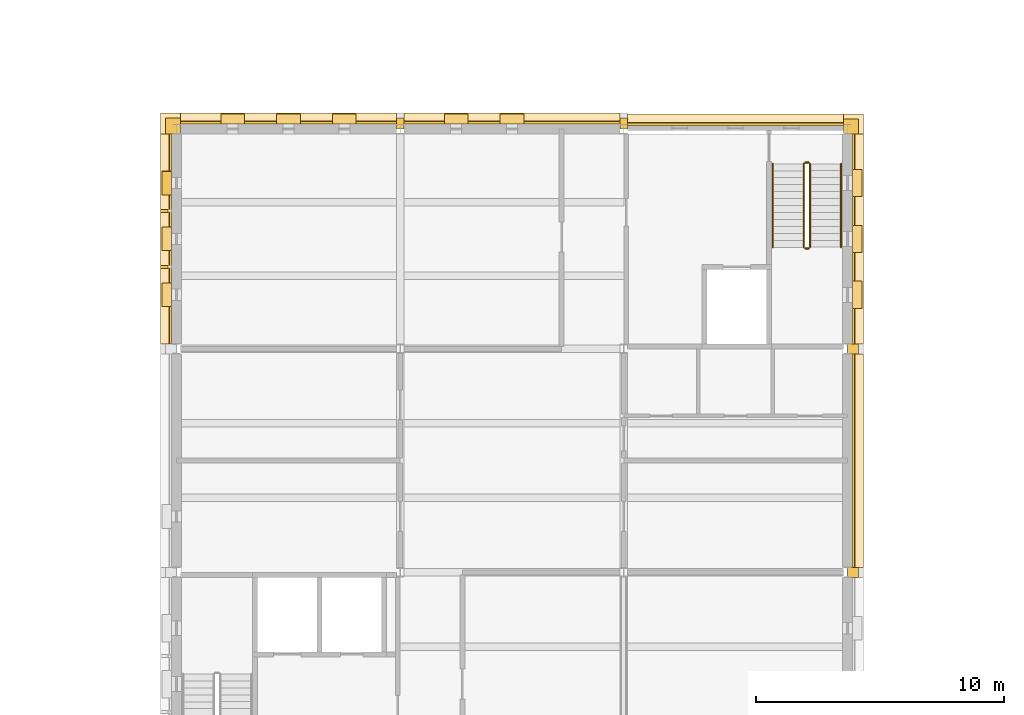
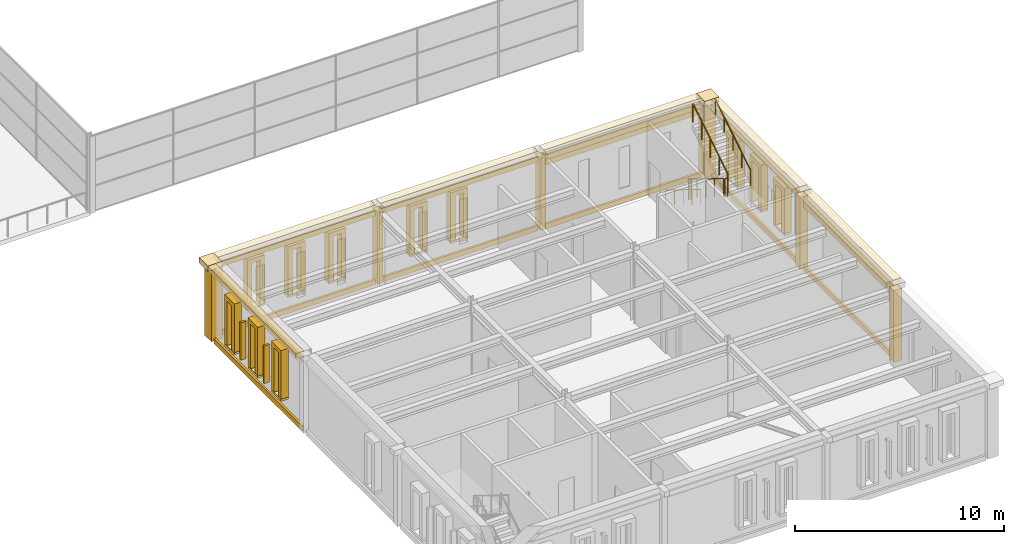
# One storey, part 64 of 70: 50 coverings, 6 railings, 2 shading devices.
"""IFC4 building model written with IfcOpenShell, lengths in metres."""

from ifc_helpers import new_model, si_unit, direction, frame, origin, origin_2d, place, context, subcontext, project, spatial, polyline, rectangle, circle, outline, extrude, material, layer, layer_set, type_object, element, save


model = new_model("IFC4")

# Units and contexts
model_context = context("Model", 3, precision=1e-05, world=origin(), true_north=direction((0.0, 1.0)))
body_context = subcontext(model_context, "Body", "Model", "MODEL_VIEW")
ifc_project = project(units=[si_unit("LENGTHUNIT", "METRE"), si_unit("AREAUNIT", "SQUARE_METRE"), si_unit("VOLUMEUNIT", "CUBIC_METRE"), si_unit("PLANEANGLEUNIT", "RADIAN"), si_unit("MASSUNIT", "GRAM", prefix="KILO")], contexts=[model_context])

# Site, building, storey
site_placement = place(None, origin())
site = spatial("IfcSite", under=ifc_project, at=site_placement, CompositionType="ELEMENT")
building_placement = place(site_placement, origin())
building = spatial("IfcBuilding", under=site, at=building_placement, Name="Kallimachos Central Library", CompositionType="ELEMENT")
storey_placement = place(building_placement, frame((0.0, 0.0, 18.89990234375)))
storey = spatial("IfcBuildingStorey", under=building, at=storey_placement, Name="L04", CompositionType="ELEMENT", Elevation=18.89990234375)

# Coverings
ifc_material_1 = material(Name="Glazed ceramic frieze, green")
ifc_layer_1 = layer(ifc_material_1, 0.10009765625)
ifc_layer_set_1 = layer_set([ifc_layer_1], Name="Glazed ceramic frieze, green")
covering_type_1 = type_object("IfcCoveringType", Name="Glazed ceramic frieze, green", PredefinedType="CLADDING", material=ifc_layer_set_1)
for number, where, z_axis, x_axis, name in (
    (1, (79.0, 45.10009765625, 3.8798828125), (0.0, 0.0, 1.0), (1.0, 0.0, 0.0), "Glazed ceramic frieze, green -L04-013"),
    (2, (88.0, 45.10009765625, 3.8798828125), (0.0, 0.0, 1.0), (1.0, 0.0, 0.0), "Glazed ceramic frieze, green -L04-014"),
    (3, (97.0, 45.050048828125, 3.8798828125), (0.0, 0.0, 1.0), (1.0, 0.0, 0.0), "Glazed ceramic frieze, green -L04-015"),
):
    element("IfcCovering", number, at=place(storey_placement, frame(where, z_axis=z_axis, x_axis=x_axis)), inside=storey, type_object=covering_type_1, Name=name, PredefinedType="CLADDING", context=body_context, shape_type="SweptSolid", body=[
        extrude(rectangle(XDim=8.699951171875, YDim=0.10009765625, at=origin_2d()), origin(), (0.0, 0.0, 1.0), 0.300048828125),
    ])
covering_1_placement = place(storey_placement, frame((74.25, 40.425048828125, 3.8798828125), z_axis=(0.0, 0.0, 1.0), x_axis=(1.0, 0.0, 0.0)))
element("IfcCovering", 4, at=covering_1_placement, inside=storey, type_object=covering_type_1, Name="Glazed ceramic frieze, green -L04-018", PredefinedType="CLADDING", context=body_context, shape_type="SweptSolid", body=[
    extrude(rectangle(XDim=0.10009765625, YDim=8.449951171875, at=origin_2d()), origin(), (0.0, 0.0, 1.0), 0.300048828125),
])
covering_2_placement = place(storey_placement, frame((101.75, 31.5, 3.8798828125), z_axis=(0.0, 0.0, 1.0), x_axis=(1.0, 0.0, 0.0)))
element("IfcCovering", 5, at=covering_2_placement, inside=storey, type_object=covering_type_1, Name="Glazed ceramic frieze, green -L04-020", PredefinedType="CLADDING", context=body_context, shape_type="SweptSolid", body=[
    extrude(rectangle(XDim=0.10009765625, YDim=8.60009765625, at=origin_2d()), origin(), (0.0, 0.0, 1.0), 0.300048828125),
])
covering_3_placement = place(storey_placement, frame((101.75, 40.425048828125, 3.8798828125), z_axis=(0.0, 0.0, 1.0), x_axis=(1.0, 0.0, 0.0)))
element("IfcCovering", 6, at=covering_3_placement, inside=storey, type_object=covering_type_1, Name="Glazed ceramic frieze, green -L04-021", PredefinedType="CLADDING", context=body_context, shape_type="SweptSolid", body=[
    extrude(rectangle(XDim=0.10009765625, YDim=8.449951171875, at=origin_2d()), origin(), (0.0, 0.0, 1.0), 0.300048828125),
])
ifc_material_2 = material(Name="Glazed ceramic frieze, ochre")
ifc_layer_2 = layer(ifc_material_2, 0.10009765625)
ifc_layer_set_2 = layer_set([ifc_layer_2], Name="Glazed ceramic frieze, ochre")
covering_type_2 = type_object("IfcCoveringType", Name="Glazed ceramic frieze, ochre", PredefinedType="CLADDING", material=ifc_layer_set_2)
covering_4_placement = place(storey_placement, frame((97.0, 45.050048828125, 3.580078125), z_axis=(0.0, 0.0, 1.0), x_axis=(1.0, 0.0, 0.0)))
element("IfcCovering", 7, at=covering_4_placement, inside=storey, type_object=covering_type_2, Name="Glazed ceramic frieze, ochre -L04-015", PredefinedType="CLADDING", context=body_context, shape_type="SweptSolid", body=[
    extrude(rectangle(XDim=8.699951171875, YDim=0.10009765625, at=origin_2d()), origin(), (0.0, 0.0, 1.0), 0.300048828125),
])
covering_5_placement = place(storey_placement, frame((101.75, 31.5, 3.580078125), z_axis=(0.0, 0.0, 1.0), x_axis=(1.0, 0.0, 0.0)))
element("IfcCovering", 8, at=covering_5_placement, inside=storey, type_object=covering_type_2, Name="Glazed ceramic frieze, ochre -L04-020", PredefinedType="CLADDING", context=body_context, shape_type="SweptSolid", body=[
    extrude(rectangle(XDim=0.10009765625, YDim=8.60009765625, at=origin_2d()), origin(), (0.0, 0.0, 1.0), 0.300048828125),
])

# Railings
ifc_material_3 = material(Name="Steel S355J2", Category="steel")
railing_type_1 = type_object("IfcRailingType", Name="Stair handrail 900", PredefinedType="HANDRAIL", material=ifc_material_3)
railing_1_placement = place(storey_placement, frame((98.5, 43.449951171875, 0.173095703125)))
element("IfcRailing", 9, at=railing_1_placement, inside=storey, type_object=railing_type_1, Name="L04 ST14 stair handrail 1", PredefinedType="HANDRAIL", context=body_context, shape_type="SweptSolid", body=[
    extrude(circle(Radius=0.02392578125, at=origin_2d()), frame((0.0, 0.0, 0.8759765625), z_axis=(0.0, -0.850606129759, 0.525803396734), x_axis=(1.0, 0.0, 0.0)), (0.0, 0.0, 1.0), 3.949951171875),
    extrude(circle(Radius=0.02099609375, at=origin_2d()), origin(), (0.0, 0.0, 1.0), 0.851806640625),
    extrude(circle(Radius=0.02099609375, at=origin_2d()), frame((0.0, -0.83984375, 0.519287109375)), (0.0, 0.0, 1.0), 0.851806640625),
    extrude(circle(Radius=0.02099609375, at=origin_2d()), frame((0.0, -1.679931640625, 1.03857421875)), (0.0, 0.0, 1.0), 0.851806640625),
    extrude(circle(Radius=0.02099609375, at=origin_2d()), frame((0.0, -2.52001953125, 1.5576171875)), (0.0, 0.0, 1.0), 0.851806640625),
    extrude(circle(Radius=0.02099609375, at=origin_2d()), frame((0.0, -3.35986328125, 2.076904296875)), (0.0, 0.0, 1.0), 0.851806640625),
])
railing_2_placement = place(storey_placement, frame((101.25, 40.090087890625, 2.423095703125)))
element("IfcRailing", 10, at=railing_2_placement, inside=storey, type_object=railing_type_1, Name="L04 ST14 stair handrail 2", PredefinedType="HANDRAIL", context=body_context, shape_type="SweptSolid", body=[
    extrude(circle(Radius=0.02392578125, at=origin_2d()), frame((0.0, 0.0, 0.8759765625), z_axis=(0.0, 0.850606129759, 0.525803396734), x_axis=(-1.0, 0.0, 0.0)), (0.0, 0.0, 1.0), 3.949951171875),
    extrude(circle(Radius=0.02099609375, at=origin_2d()), origin(), (0.0, 0.0, 1.0), 0.851806640625),
    extrude(circle(Radius=0.02099609375, at=origin_2d()), frame((0.0, 0.83984375, 0.519287109375)), (0.0, 0.0, 1.0), 0.851806640625),
    extrude(circle(Radius=0.02099609375, at=origin_2d()), frame((0.0, 1.679931640625, 1.03857421875)), (0.0, 0.0, 1.0), 0.851806640625),
    extrude(circle(Radius=0.02099609375, at=origin_2d()), frame((0.0, 2.52001953125, 1.5576171875)), (0.0, 0.0, 1.0), 0.851806640625),
    extrude(circle(Radius=0.02099609375, at=origin_2d()), frame((0.0, 3.35986328125, 2.076904296875)), (0.0, 0.0, 1.0), 0.851806640625),
])

# Coverings
ifc_material_4 = material(Name="Pentelic marble attic moulding", Category="masonry")
ifc_layer_3 = layer(ifc_material_4, 0.1201171875)
ifc_layer_set_3 = layer_set([ifc_layer_3], Name="Stone attic moulding 300")
covering_type_3 = type_object("IfcCoveringType", Name="Stone attic moulding 300", PredefinedType="MOLDING", material=ifc_layer_set_3)
for number, where, z_axis, x_axis, name in (
    (11, (79.0, 45.110107421875, -0.14990234375), (0.0, 0.0, 1.0), (1.0, 0.0, 0.0), "Stone attic moulding 300 -L04-013"),
    (12, (88.0, 45.110107421875, -0.14990234375), (0.0, 0.0, 1.0), (1.0, 0.0, 0.0), "Stone attic moulding 300 -L04-014"),
    (13, (97.0, 45.06005859375, -0.14990234375), (0.0, 0.0, 1.0), (1.0, 0.0, 0.0), "Stone attic moulding 300 -L04-015"),
):
    element("IfcCovering", number, at=place(storey_placement, frame(where, z_axis=z_axis, x_axis=x_axis)), inside=storey, type_object=covering_type_3, Name=name, PredefinedType="MOLDING", context=body_context, shape_type="SweptSolid", body=[
        extrude(rectangle(XDim=8.699951171875, YDim=0.1201171875, at=origin_2d()), origin(), (0.0, 0.0, 1.0), 0.300048828125),
    ])
covering_6_placement = place(storey_placement, frame((74.239990234375, 40.425048828125, -0.14990234375), z_axis=(0.0, 0.0, 1.0), x_axis=(1.0, 0.0, 0.0)))
element("IfcCovering", 14, at=covering_6_placement, inside=storey, type_object=covering_type_3, Name="Stone attic moulding 300 -L04-018", PredefinedType="MOLDING", context=body_context, shape_type="SweptSolid", body=[
    extrude(rectangle(XDim=0.1201171875, YDim=8.449951171875, at=origin_2d()), origin(), (0.0, 0.0, 1.0), 0.300048828125),
])
covering_7_placement = place(storey_placement, frame((101.760009765625, 31.5, -0.14990234375), z_axis=(0.0, 0.0, 1.0), x_axis=(1.0, 0.0, 0.0)))
element("IfcCovering", 15, at=covering_7_placement, inside=storey, type_object=covering_type_3, Name="Stone attic moulding 300 -L04-020", PredefinedType="MOLDING", context=body_context, shape_type="SweptSolid", body=[
    extrude(rectangle(XDim=0.1201171875, YDim=8.60009765625, at=origin_2d()), origin(), (0.0, 0.0, 1.0), 0.300048828125),
])
covering_8_placement = place(storey_placement, frame((101.760009765625, 40.425048828125, -0.14990234375), z_axis=(0.0, 0.0, 1.0), x_axis=(1.0, 0.0, 0.0)))
element("IfcCovering", 16, at=covering_8_placement, inside=storey, type_object=covering_type_3, Name="Stone attic moulding 300 -L04-021", PredefinedType="MOLDING", context=body_context, shape_type="SweptSolid", body=[
    extrude(rectangle(XDim=0.1201171875, YDim=8.449951171875, at=origin_2d()), origin(), (0.0, 0.0, 1.0), 0.300048828125),
])
ifc_material_5 = material(Name="Pentelic marble cornice", Category="masonry")
ifc_layer_4 = layer(ifc_material_5, 0.449951171875)
ifc_layer_set_4 = layer_set([ifc_layer_4], Name="Stone cornice 450")
covering_type_4 = type_object("IfcCoveringType", Name="Stone cornice 450", PredefinedType="MOLDING", material=ifc_layer_set_4)
for number, where, z_axis, x_axis, name in (
    (17, (79.0, 45.27490234375, 4.2001953125), (0.0, 0.0, 1.0), (1.0, 0.0, 0.0), "Stone cornice 450 -L04-013"),
    (18, (88.0, 45.27490234375, 4.2001953125), (0.0, 0.0, 1.0), (1.0, 0.0, 0.0), "Stone cornice 450 -L04-014"),
    (19, (97.0, 45.22509765625, 4.2001953125), (0.0, 0.0, 1.0), (1.0, 0.0, 0.0), "Stone cornice 450 -L04-015"),
):
    element("IfcCovering", number, at=place(storey_placement, frame(where, z_axis=z_axis, x_axis=x_axis)), inside=storey, type_object=covering_type_4, Name=name, PredefinedType="MOLDING", context=body_context, shape_type="SweptSolid", body=[
        extrude(rectangle(XDim=8.699951171875, YDim=0.449951171875, at=origin_2d()), origin(), (0.0, 0.0, 1.0), 0.300048828125),
    ])
covering_9_placement = place(storey_placement, frame((74.074951171875, 40.425048828125, 4.2001953125), z_axis=(0.0, 0.0, 1.0), x_axis=(1.0, 0.0, 0.0)))
element("IfcCovering", 20, at=covering_9_placement, inside=storey, type_object=covering_type_4, Name="Stone cornice 450 -L04-018", PredefinedType="MOLDING", context=body_context, shape_type="SweptSolid", body=[
    extrude(rectangle(XDim=0.449951171875, YDim=8.449951171875, at=origin_2d()), origin(), (0.0, 0.0, 1.0), 0.300048828125),
])
covering_10_placement = place(storey_placement, frame((101.925048828125, 31.5, 4.2001953125), z_axis=(0.0, 0.0, 1.0), x_axis=(1.0, 0.0, 0.0)))
element("IfcCovering", 21, at=covering_10_placement, inside=storey, type_object=covering_type_4, Name="Stone cornice 450 -L04-020", PredefinedType="MOLDING", context=body_context, shape_type="SweptSolid", body=[
    extrude(rectangle(XDim=0.449951171875, YDim=8.60009765625, at=origin_2d()), origin(), (0.0, 0.0, 1.0), 0.300048828125),
])
covering_11_placement = place(storey_placement, frame((101.925048828125, 40.425048828125, 4.2001953125), z_axis=(0.0, 0.0, 1.0), x_axis=(1.0, 0.0, 0.0)))
element("IfcCovering", 22, at=covering_11_placement, inside=storey, type_object=covering_type_4, Name="Stone cornice 450 -L04-021", PredefinedType="MOLDING", context=body_context, shape_type="SweptSolid", body=[
    extrude(rectangle(XDim=0.449951171875, YDim=8.449951171875, at=origin_2d()), origin(), (0.0, 0.0, 1.0), 0.300048828125),
])
covering_12_placement = place(storey_placement, frame((74.25, 45.074951171875, 4.2001953125), z_axis=(0.0, 0.0, 1.0), x_axis=(1.0, 0.0, 0.0)))
element("IfcCovering", 23, at=covering_12_placement, inside=storey, type_object=covering_type_4, Name="Stone cornice 450 corner", PredefinedType="MOLDING", context=body_context, shape_type="SweptSolid", body=[
    extrude(rectangle(XDim=0.800048828125, YDim=0.85009765625, at=origin_2d()), origin(), (0.0, 0.0, 1.0), 0.300048828125),
])
covering_13_placement = place(storey_placement, frame((101.75, 45.050048828125, 4.2001953125), z_axis=(0.0, 0.0, 1.0), x_axis=(1.0, 0.0, 0.0)))
element("IfcCovering", 24, at=covering_13_placement, inside=storey, type_object=covering_type_4, Name="Stone cornice 450 corner", PredefinedType="MOLDING", context=body_context, shape_type="SweptSolid", body=[
    extrude(rectangle(XDim=0.800048828125, YDim=0.800048828125, at=origin_2d()), origin(), (0.0, 0.0, 1.0), 0.300048828125),
])
ifc_material_6 = material(Name="Pentelic marble pilaster", Category="masonry")
ifc_layer_5 = layer(ifc_material_6, 0.25)
ifc_layer_set_5 = layer_set([ifc_layer_5], Name="Stone pilaster 250")
covering_type_5 = type_object("IfcCoveringType", Name="Stone pilaster 250", PredefinedType="CLADDING", material=ifc_layer_set_5)
for number, where, z_axis, x_axis, name in (
    (25, (83.5, 45.074951171875, 0.0), (0.0, 0.0, 1.0), (1.0, 0.0, 0.0), "Stone pilaster 250 -L04-013"),
    (26, (92.5, 45.074951171875, 0.0), (0.0, 0.0, 1.0), (1.0, 0.0, 0.0), "Stone pilaster 250 -L04-014"),
):
    element("IfcCovering", number, at=place(storey_placement, frame(where, z_axis=z_axis, x_axis=x_axis)), inside=storey, type_object=covering_type_5, Name=name, PredefinedType="CLADDING", context=body_context, shape_type="SweptSolid", body=[
        extrude(rectangle(XDim=0.300048828125, YDim=0.449951171875, at=origin_2d()), origin(), (0.0, 0.0, 1.0), 4.199951171875),
    ])
for number, where, z_axis, x_axis, name in (
    (27, (101.72509765625, 27.0, 0.0), (0.0, 0.0, 1.0), (1.0, 0.0, 0.0), "Stone pilaster 250 -L04-019"),
    (28, (101.72509765625, 36.0, 0.0), (0.0, 0.0, 1.0), (1.0, 0.0, 0.0), "Stone pilaster 250 -L04-020"),
):
    element("IfcCovering", number, at=place(storey_placement, frame(where, z_axis=z_axis, x_axis=x_axis)), inside=storey, type_object=covering_type_5, Name=name, PredefinedType="CLADDING", context=body_context, shape_type="SweptSolid", body=[
        extrude(rectangle(XDim=0.449951171875, YDim=0.39990234375, at=origin_2d()), origin(), (0.0, 0.0, 1.0), 4.199951171875),
    ])
covering_14_placement = place(storey_placement, frame((74.35009765625, 44.97509765625, 0.0), z_axis=(0.0, 0.0, 1.0), x_axis=(1.0, 0.0, 0.0)))
element("IfcCovering", 29, at=covering_14_placement, inside=storey, type_object=covering_type_5, Name="Stone pilaster 250 corner", PredefinedType="CLADDING", context=body_context, shape_type="SweptSolid", body=[
    extrude(rectangle(XDim=0.60009765625, YDim=0.64990234375, at=origin_2d()), origin(), (0.0, 0.0, 1.0), 4.199951171875),
])
covering_15_placement = place(storey_placement, frame((101.64990234375, 44.949951171875, 0.0), z_axis=(0.0, 0.0, 1.0), x_axis=(1.0, 0.0, 0.0)))
element("IfcCovering", 30, at=covering_15_placement, inside=storey, type_object=covering_type_5, Name="Stone pilaster 250 corner", PredefinedType="CLADDING", context=body_context, shape_type="SweptSolid", body=[
    extrude(rectangle(XDim=0.60009765625, YDim=0.60009765625, at=origin_2d()), origin(), (0.0, 0.0, 1.0), 4.199951171875),
])

# Shading devices
ifc_material_7 = material(Name="Pentelic marble fin", Category="masonry")
ifc_layer_6 = layer(ifc_material_7, 0.1201171875)
ifc_layer_set_6 = layer_set([ifc_layer_6], Name="Stone sun-shade fin 120")
shading_device_type = type_object("IfcShadingDeviceType", Name="Stone sun-shade fin 120", PredefinedType="USERDEFINED", material=ifc_layer_set_6)
for number, where, z_axis, x_axis, name in (
    (31, (74.0, 39.300048828125, 0.89990234375), (0.0, 0.0, 1.0), (1.0, 0.0, 0.0), "Stone sun-shade fin 120 -L04-018"),
    (32, (74.0, 41.550048828125, 0.89990234375), (0.0, 0.0, 1.0), (1.0, 0.0, 0.0), "Stone sun-shade fin 120 -L04-018"),
):
    element("IfcShadingDevice", number, at=place(storey_placement, frame(where, z_axis=z_axis, x_axis=x_axis)), inside=storey, type_object=shading_device_type, Name=name, ObjectType="FIN", PredefinedType="USERDEFINED", context=body_context, shape_type="SweptSolid", body=[
        extrude(rectangle(XDim=0.300048828125, YDim=0.1201171875, at=origin_2d()), origin(), (0.0, 0.0, 1.0), 2.199951171875),
    ])

# Coverings
ifc_material_8 = material(Name="Pentelic marble window sill", Category="masonry")
ifc_layer_7 = layer(ifc_material_8, 0.39990234375)
ifc_layer_set_7 = layer_set([ifc_layer_7], Name="Tower window sill block 400")
covering_type_6 = type_object("IfcCoveringType", Name="Tower window sill block 400", PredefinedType="MOLDING", material=ifc_layer_set_7)
for number, where, z_axis, x_axis, name in (
    (33, (76.75, 45.25, 0.780029296875), (0.0, 0.0, 1.0), (1.0, 0.0, 0.0), "Tower window sill block"),
    (34, (79.0, 45.25, 0.780029296875), (0.0, 0.0, 1.0), (1.0, 0.0, 0.0), "Tower window sill block"),
    (35, (81.25, 45.25, 0.780029296875), (0.0, 0.0, 1.0), (1.0, 0.0, 0.0), "Tower window sill block"),
    (36, (85.75, 45.25, 0.780029296875), (0.0, 0.0, 1.0), (1.0, 0.0, 0.0), "Tower window sill block"),
    (37, (88.0, 45.25, 0.780029296875), (0.0, 0.0, 1.0), (1.0, 0.0, 0.0), "Tower window sill block"),
):
    element("IfcCovering", number, at=place(storey_placement, frame(where, z_axis=z_axis, x_axis=x_axis)), inside=storey, type_object=covering_type_6, Name=name, PredefinedType="MOLDING", context=body_context, shape_type="SweptSolid", body=[
        extrude(rectangle(XDim=0.949951171875, YDim=0.39990234375, at=origin_2d()), origin(), (0.0, 0.0, 1.0), 0.1201171875),
    ])
for number, where, z_axis, x_axis, name in (
    (38, (74.10009765625, 38.175048828125, 0.780029296875), (0.0, 0.0, 1.0), (1.0, 0.0, 0.0), "Tower window sill block"),
    (39, (74.10009765625, 40.425048828125, 0.780029296875), (0.0, 0.0, 1.0), (1.0, 0.0, 0.0), "Tower window sill block"),
    (40, (74.10009765625, 42.675048828125, 0.780029296875), (0.0, 0.0, 1.0), (1.0, 0.0, 0.0), "Tower window sill block"),
):
    element("IfcCovering", number, at=place(storey_placement, frame(where, z_axis=z_axis, x_axis=x_axis)), inside=storey, type_object=covering_type_6, Name=name, PredefinedType="MOLDING", context=body_context, shape_type="SweptSolid", body=[
        extrude(rectangle(XDim=0.39990234375, YDim=0.949951171875, at=origin_2d()), origin(), (0.0, 0.0, 1.0), 0.1201171875),
    ])
for number, where, z_axis, x_axis, name in (
    (41, (101.89990234375, 38.175048828125, 0.780029296875), (0.0, 0.0, 1.0), (1.0, 0.0, 0.0), "Tower window sill block"),
    (42, (101.89990234375, 40.425048828125, 0.780029296875), (0.0, 0.0, 1.0), (1.0, 0.0, 0.0), "Tower window sill block"),
    (43, (101.89990234375, 42.675048828125, 0.780029296875), (0.0, 0.0, 1.0), (1.0, 0.0, 0.0), "Tower window sill block"),
):
    element("IfcCovering", number, at=place(storey_placement, frame(where, z_axis=z_axis, x_axis=x_axis)), inside=storey, type_object=covering_type_6, Name=name, PredefinedType="MOLDING", context=body_context, shape_type="SweptSolid", body=[
        extrude(rectangle(XDim=0.39990234375, YDim=1.10009765625, at=origin_2d()), origin(), (0.0, 0.0, 1.0), 0.1201171875),
    ])
ifc_material_9 = material(Name="Pentelic marble window surround", Category="masonry")
ifc_layer_8 = layer(ifc_material_9, 0.39990234375)
ifc_layer_set_8 = layer_set([ifc_layer_8], Name="Tower window surround 400")
covering_type_7 = type_object("IfcCoveringType", Name="Tower window surround 400", PredefinedType="MOLDING", material=ifc_layer_set_8)
for number, where, z_axis, x_axis, name in (
    (44, (76.27490234375, 45.449951171875, 0.900146484375), (0.0, 1.0, 0.0), (0.0, 0.0, 1.0), "Tower window surround -WIN-L04-009"),
    (45, (78.52490234375, 45.449951171875, 0.900146484375), (0.0, 1.0, 0.0), (0.0, 0.0, 1.0), "Tower window surround -WIN-L04-010"),
    (46, (80.77490234375, 45.449951171875, 0.900146484375), (0.0, 1.0, 0.0), (0.0, 0.0, 1.0), "Tower window surround -WIN-L04-011"),
    (47, (85.27490234375, 45.449951171875, 0.900146484375), (0.0, 1.0, 0.0), (0.0, 0.0, 1.0), "Tower window surround -WIN-L04-012"),
    (48, (87.52490234375, 45.449951171875, 0.900146484375), (0.0, 1.0, 0.0), (0.0, 0.0, 1.0), "Tower window surround -WIN-L04-013"),
):
    element("IfcCovering", number, at=place(storey_placement, frame(where, z_axis=z_axis, x_axis=x_axis)), inside=storey, type_object=covering_type_7, Name=name, PredefinedType="MOLDING", context=body_context, shape_type="SweptSolid", body=[
        extrude(outline(polyline([(0.0, 0.0), (2.849853515625, 0.0), (2.849853515625, 0.9501953125), (0.0, 0.9501953125), (0.0, 0.7001953125), (2.599853515625, 0.7001953125), (2.599853515625, 0.25), (0.0, 0.25), (0.0, 0.0)])), origin(), (0.0, 0.0, -1.0), 0.39990234375),
    ])
for number, where, z_axis, x_axis, name in (
    (49, (73.89990234375, 37.699951171875, 0.900146484375), (-1.0, 0.0, 0.0), (0.0, 0.0, 1.0), "Tower window surround -WIN-L04-021"),
    (50, (73.89990234375, 39.949951171875, 0.900146484375), (-1.0, 0.0, 0.0), (0.0, 0.0, 1.0), "Tower window surround -WIN-L04-022"),
    (51, (73.89990234375, 42.199951171875, 0.900146484375), (-1.0, 0.0, 0.0), (0.0, 0.0, 1.0), "Tower window surround -WIN-L04-023"),
):
    element("IfcCovering", number, at=place(storey_placement, frame(where, z_axis=z_axis, x_axis=x_axis)), inside=storey, type_object=covering_type_7, Name=name, PredefinedType="MOLDING", context=body_context, shape_type="SweptSolid", body=[
        extrude(outline(polyline([(0.0, 0.0), (2.849853515625, 0.0), (2.849853515625, 0.949951171875), (0.0, 0.949951171875), (0.0, 0.699951171875), (2.599853515625, 0.699951171875), (2.599853515625, 0.25), (0.0, 0.25), (0.0, 0.0)])), origin(), (0.0, 0.0, -1.0), 0.39990234375),
    ])
for number, where, z_axis, x_axis, name in (
    (52, (102.10009765625, 37.875, 0.900146484375), (1.0, 0.0, 0.0), (0.0, 0.0, 1.0), "Tower window surround -WIN-L04-027"),
    (53, (102.10009765625, 40.125, 0.900146484375), (1.0, 0.0, 0.0), (0.0, 0.0, 1.0), "Tower window surround -WIN-L04-028"),
    (54, (102.10009765625, 42.375, 0.900146484375), (1.0, 0.0, 0.0), (0.0, 0.0, 1.0), "Tower window surround -WIN-L04-029"),
):
    element("IfcCovering", number, at=place(storey_placement, frame(where, z_axis=z_axis, x_axis=x_axis)), inside=storey, type_object=covering_type_7, Name=name, PredefinedType="MOLDING", context=body_context, shape_type="SweptSolid", body=[
        extrude(outline(polyline([(0.0, 0.0), (2.39990234375, 0.0), (2.39990234375, -0.60009765625), (0.0, -0.60009765625), (0.0, -0.85009765625), (2.64990234375, -0.85009765625), (2.64990234375, 0.25), (0.0, 0.25), (0.0, 0.0)])), origin(), (0.0, 0.0, -1.0), 0.39990234375),
    ])

# Railings
ifc_material_10 = material(Name="Steel S355J2", Category="steel")
railing_type_2 = type_object("IfcRailingType", Name="Wrought-iron guard 1100", PredefinedType="GUARDRAIL", material=ifc_material_10)
railing_3_placement = place(storey_placement, frame((99.75, 43.449951171875, 0.173095703125)))
element("IfcRailing", 55, at=railing_3_placement, inside=storey, type_object=railing_type_2, Name="L04 ST14 stair guard 1", PredefinedType="GUARDRAIL", context=body_context, shape_type="SweptSolid", body=[
    extrude(circle(Radius=0.02392578125, at=origin_2d()), frame((0.0, 0.0, 1.076171875), z_axis=(0.0, -0.850606129759, 0.525803396734), x_axis=(1.0, 0.0, 0.0)), (0.0, 0.0, 1.0), 3.949951171875),
    extrude(circle(Radius=0.02099609375, at=origin_2d()), origin(), (0.0, 0.0, 1.0), 1.052001953125),
    extrude(circle(Radius=0.02099609375, at=origin_2d()), frame((0.0, -0.83984375, 0.519287109375)), (0.0, 0.0, 1.0), 1.052001953125),
    extrude(circle(Radius=0.02099609375, at=origin_2d()), frame((0.0, -1.679931640625, 1.03857421875)), (0.0, 0.0, 1.0), 1.052001953125),
    extrude(circle(Radius=0.02099609375, at=origin_2d()), frame((0.0, -2.52001953125, 1.5576171875)), (0.0, 0.0, 1.0), 1.052001953125),
    extrude(circle(Radius=0.02099609375, at=origin_2d()), frame((0.0, -3.35986328125, 2.076904296875)), (0.0, 0.0, 1.0), 1.052001953125),
])
railing_4_placement = place(storey_placement, frame((99.800048828125, 40.0400390625, 2.25)))
element("IfcRailing", 56, at=railing_4_placement, inside=storey, type_object=railing_type_2, Name="L04 ST14 stair guard 2", PredefinedType="GUARDRAIL", context=body_context, shape_type="SweptSolid", body=[
    extrude(circle(Radius=0.02392578125, at=origin_2d()), frame((0.0, 0.0, 1.076171875), z_axis=(1.0, 0.0, 0.0), x_axis=(0.0, 1.0, 0.0)), (0.0, 0.0, 1.0), 0.14990234375),
    extrude(circle(Radius=0.02099609375, at=origin_2d()), origin(), (0.0, 0.0, 1.0), 1.052001953125),
    extrude(circle(Radius=0.02099609375, at=origin_2d()), frame((0.14990234375, 0.0, 0.0)), (0.0, 0.0, 1.0), 1.052001953125),
])
railing_5_placement = place(storey_placement, frame((100.0, 40.090087890625, 2.423095703125)))
element("IfcRailing", 57, at=railing_5_placement, inside=storey, type_object=railing_type_2, Name="L04 ST14 stair guard 3", PredefinedType="GUARDRAIL", context=body_context, shape_type="SweptSolid", body=[
    extrude(circle(Radius=0.02392578125, at=origin_2d()), frame((0.0, 0.0, 1.076171875), z_axis=(0.0, 0.850606129759, 0.525803396734), x_axis=(-1.0, 0.0, 0.0)), (0.0, 0.0, 1.0), 3.949951171875),
    extrude(circle(Radius=0.02099609375, at=origin_2d()), origin(), (0.0, 0.0, 1.0), 1.052001953125),
    extrude(circle(Radius=0.02099609375, at=origin_2d()), frame((0.0, 0.83984375, 0.519287109375)), (0.0, 0.0, 1.0), 1.052001953125),
    extrude(circle(Radius=0.02099609375, at=origin_2d()), frame((0.0, 1.679931640625, 1.03857421875)), (0.0, 0.0, 1.0), 1.052001953125),
    extrude(circle(Radius=0.02099609375, at=origin_2d()), frame((0.0, 2.52001953125, 1.5576171875)), (0.0, 0.0, 1.0), 1.052001953125),
    extrude(circle(Radius=0.02099609375, at=origin_2d()), frame((0.0, 3.35986328125, 2.076904296875)), (0.0, 0.0, 1.0), 1.052001953125),
])
railing_6_placement = place(storey_placement, frame((99.800048828125, 43.5, 0.0)))
element("IfcRailing", 58, at=railing_6_placement, inside=storey, type_object=railing_type_2, Name="L04 ST14 stair guard 4", PredefinedType="GUARDRAIL", context=body_context, shape_type="SweptSolid", body=[
    extrude(circle(Radius=0.02392578125, at=origin_2d()), frame((0.0, 0.0, 1.076171875), z_axis=(1.0, 0.0, 0.0), x_axis=(0.0, 1.0, 0.0)), (0.0, 0.0, 1.0), 0.14990234375),
    extrude(circle(Radius=0.02099609375, at=origin_2d()), origin(), (0.0, 0.0, 1.0), 1.052001953125),
    extrude(circle(Radius=0.02099609375, at=origin_2d()), frame((0.14990234375, 0.0, 0.0)), (0.0, 0.0, 1.0), 1.052001953125),
])

save(model, "model.ifc")
